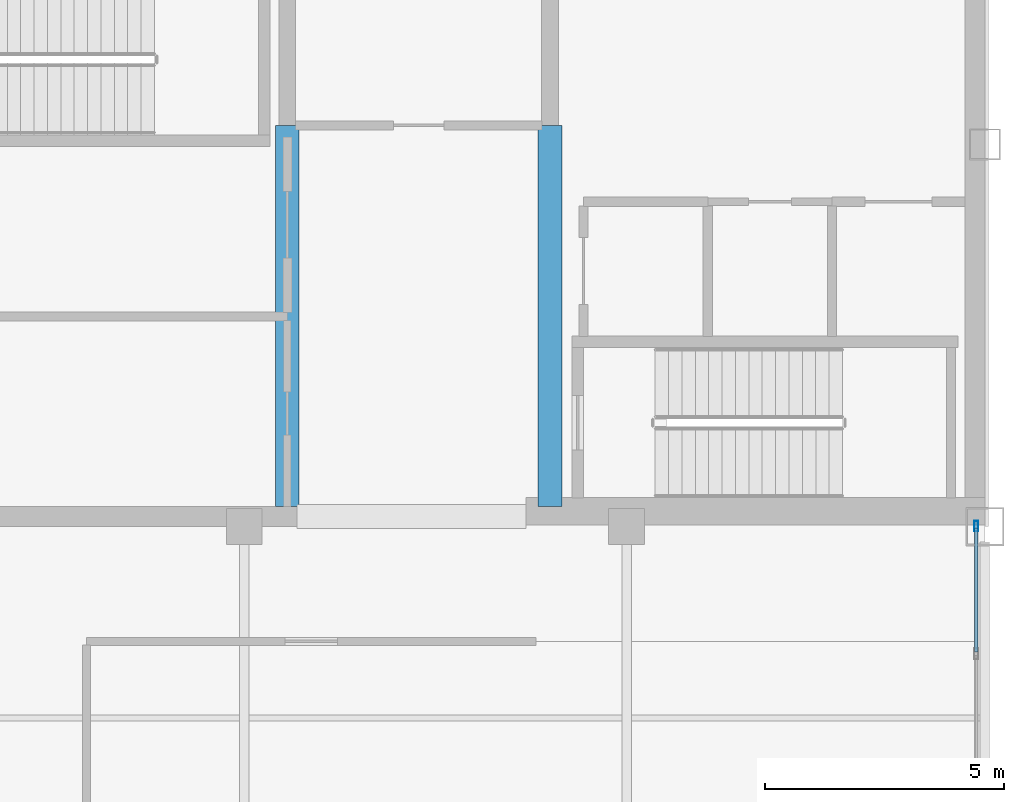
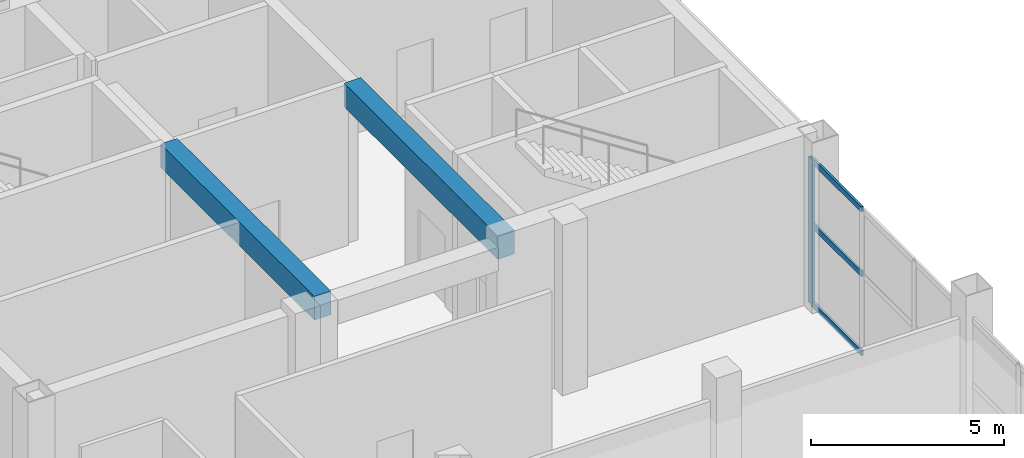
# One storey, part 10 of 17: 4 members, 2 beams, 1 element without a shape of its own.
"""IFC4 building model written with IfcOpenShell, lengths in metres."""

from ifc_helpers import new_model, si_unit, direction, frame, origin, origin_2d, place, context, subcontext, project, spatial, rectangle, hollow_rectangle, extrude, material, layer, layer_set, material_profile, profile_set, type_object, element, aggregate, save


model = new_model("IFC4")

# Units and contexts
model_context = context("Model", 3, precision=1e-05, world=origin(), true_north=direction((0.0, 1.0)))
body_context = subcontext(model_context, "Body", "Model", "MODEL_VIEW")
ifc_project = project(units=[si_unit("LENGTHUNIT", "METRE"), si_unit("AREAUNIT", "SQUARE_METRE"), si_unit("VOLUMEUNIT", "CUBIC_METRE"), si_unit("PLANEANGLEUNIT", "RADIAN"), si_unit("MASSUNIT", "GRAM", prefix="KILO")], contexts=[model_context])

# Site, building, storey
site_placement = place(None, origin())
site = spatial("IfcSite", under=ifc_project, at=site_placement, CompositionType="ELEMENT")
building_placement = place(site_placement, origin())
building = spatial("IfcBuilding", under=site, at=building_placement, Name="Qianrong Seaharbour Tower", CompositionType="ELEMENT")
storey_placement = place(building_placement, frame((0.0, 0.0, 373.0)))
storey = spatial("IfcBuildingStorey", under=building, at=storey_placement, Name="L90", CompositionType="ELEMENT", Elevation=373.0)

# Beams
ifc_material_1 = material(Name="Concrete C60/75", Category="concrete")
ifc_material_profile_1 = material_profile(ifc_material_1, rectangle(XDim=0.5, YDim=0.75, at=origin_2d()), Name="RC500x750")
ifc_profile_set_1 = profile_set([ifc_material_profile_1], Name="Concrete C60/75")
beam_type = type_object("IfcBeamType", Name="BM-LINTEL-750", PredefinedType="LINTEL", material=ifc_profile_set_1)
for number, where, z_axis, x_axis, name in (
    (1, (49.39990234375, 36.419921875, 4.735107421875), (0.0, 1.0, 0.0), (-1.0, 0.0, 0.0), "L90 Internal Core Coupling Beam IW1"),
    (2, (54.89990234375, 36.419921875, 4.735107421875), (0.0, 1.0, 0.0), (-1.0, 0.0, 0.0), "L90 Internal Core Coupling Beam IW2"),
):
    element("IfcBeam", number, at=place(storey_placement, frame(where, z_axis=z_axis, x_axis=x_axis)), inside=storey, type_object=beam_type, Name=name, PredefinedType="LINTEL", context=body_context, shape_type="SweptSolid", body=[
        extrude(rectangle(XDim=0.5, YDim=0.75, at=origin_2d()), origin(), (0.0, 0.0, 1.0), 7.97998046875),
    ])

# Curtain wall, members
ifc_material_2 = material(Name="Anodised aluminium 6063-T6 and laminated low-e glass", Category="aluminium")
ifc_layer = layer(ifc_material_2, 0.239990234375)
ifc_layer_set = layer_set([ifc_layer], Name="Anodised aluminium 6063-T6 and laminated low-e glass")
curtain_wall_type = type_object("IfcCurtainWallType", Name="CW-SYS-6", PredefinedType="NOTDEFINED", material=ifc_layer_set)
curtain_wall_placement = place(storey_placement, origin())
curtain_wall = element("IfcCurtainWall", 3, at=curtain_wall_placement, inside=storey, type_object=curtain_wall_type, Name="L90 TMD Exhibition Lantern Translucent Curtain Wall EAST_WING", PredefinedType="NOTDEFINED")
ifc_material_3 = material(Name="Extruded aluminium 6063-T6", Category="aluminium")
ifc_material_profile_2 = material_profile(ifc_material_3, hollow_rectangle(XDim=0.080078125, YDim=0.219970703125, WallThickness=0.0048828125, at=origin_2d()), Name="ALU-MUL-220x80x5")
ifc_profile_set_2 = profile_set([ifc_material_profile_2], Name="Extruded aluminium 6063-T6")
member_type_1 = type_object("IfcMemberType", Name="CW-MUL-220", PredefinedType="MULLION", material=ifc_profile_set_2)
member_1_placement = place(storey_placement, frame((63.820068359375, 36.010009765625, 0.0), z_axis=(0.0, 0.0, 1.0), x_axis=(1.0, 0.0, 0.0)))
member_1 = element("IfcMember", 4, at=member_1_placement, type_object=member_type_1, Name="CW-6 mullion 1", PredefinedType="MULLION", context=body_context, shape_type="SweptSolid", body=[
    extrude(hollow_rectangle(XDim=0.080078125, YDim=0.219970703125, WallThickness=0.0048828125, at=origin_2d()), origin(), (0.0, 0.0, 1.0), 4.6201171875),
])
ifc_material_profile_3 = material_profile(ifc_material_3, hollow_rectangle(XDim=0.070068359375, YDim=0.179931640625, WallThickness=0.00390625, at=origin_2d()), Name="ALU-TRN-180x70x4")
ifc_profile_set_3 = profile_set([ifc_material_profile_3], Name="Extruded aluminium 6063-T6")
member_type_2 = type_object("IfcMemberType", Name="CW-TRN-180", PredefinedType="USERDEFINED", material=ifc_profile_set_3)
member_2_placement = place(storey_placement, frame((63.820068359375, 35.969970703125, 0.034912109375), z_axis=(0.0, -1.0, 0.0), x_axis=(1.0, 0.0, 0.0)))
member_2 = element("IfcMember", 5, at=member_2_placement, type_object=member_type_2, Name="CW-6 transom 1.1", ObjectType="TRANSOM", PredefinedType="USERDEFINED", context=body_context, shape_type="SweptSolid", body=[
    extrude(hollow_rectangle(XDim=0.070068359375, YDim=0.179931640625, WallThickness=0.00390625, at=origin_2d()), origin(), (0.0, 0.0, 1.0), 2.590087890625),
])
member_3_placement = place(storey_placement, frame((63.820068359375, 35.969970703125, 2.541015625), z_axis=(0.0, -1.0, 0.0), x_axis=(1.0, 0.0, 0.0)))
member_3 = element("IfcMember", 6, at=member_3_placement, type_object=member_type_2, Name="CW-6 transom 1.2", ObjectType="TRANSOM", PredefinedType="USERDEFINED", context=body_context, shape_type="SweptSolid", body=[
    extrude(hollow_rectangle(XDim=0.070068359375, YDim=0.179931640625, WallThickness=0.00390625, at=origin_2d()), origin(), (0.0, 0.0, 1.0), 2.590087890625),
])
member_4_placement = place(storey_placement, frame((63.820068359375, 35.969970703125, 4.5849609375), z_axis=(0.0, -1.0, 0.0), x_axis=(1.0, 0.0, 0.0)))
member_4 = element("IfcMember", 7, at=member_4_placement, type_object=member_type_2, Name="CW-6 transom 1.3", ObjectType="TRANSOM", PredefinedType="USERDEFINED", context=body_context, shape_type="SweptSolid", body=[
    extrude(hollow_rectangle(XDim=0.070068359375, YDim=0.179931640625, WallThickness=0.00390625, at=origin_2d()), origin(), (0.0, 0.0, 1.0), 2.590087890625),
])
aggregate(curtain_wall, [member_1, member_2, member_3, member_4])

save(model, "model.ifc")
